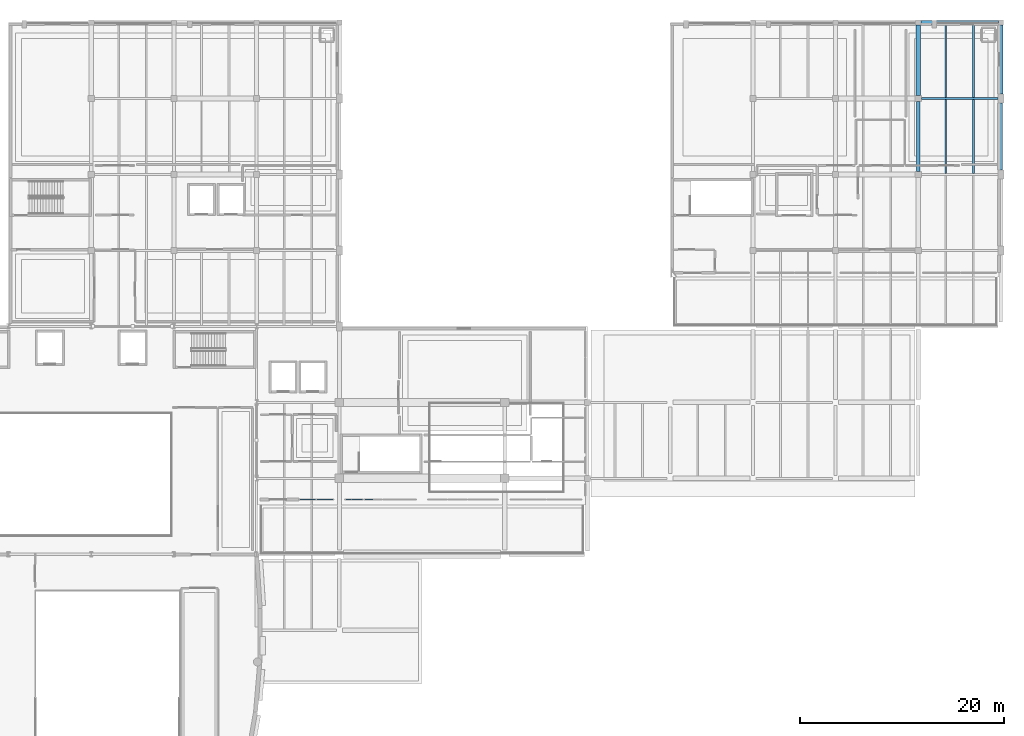
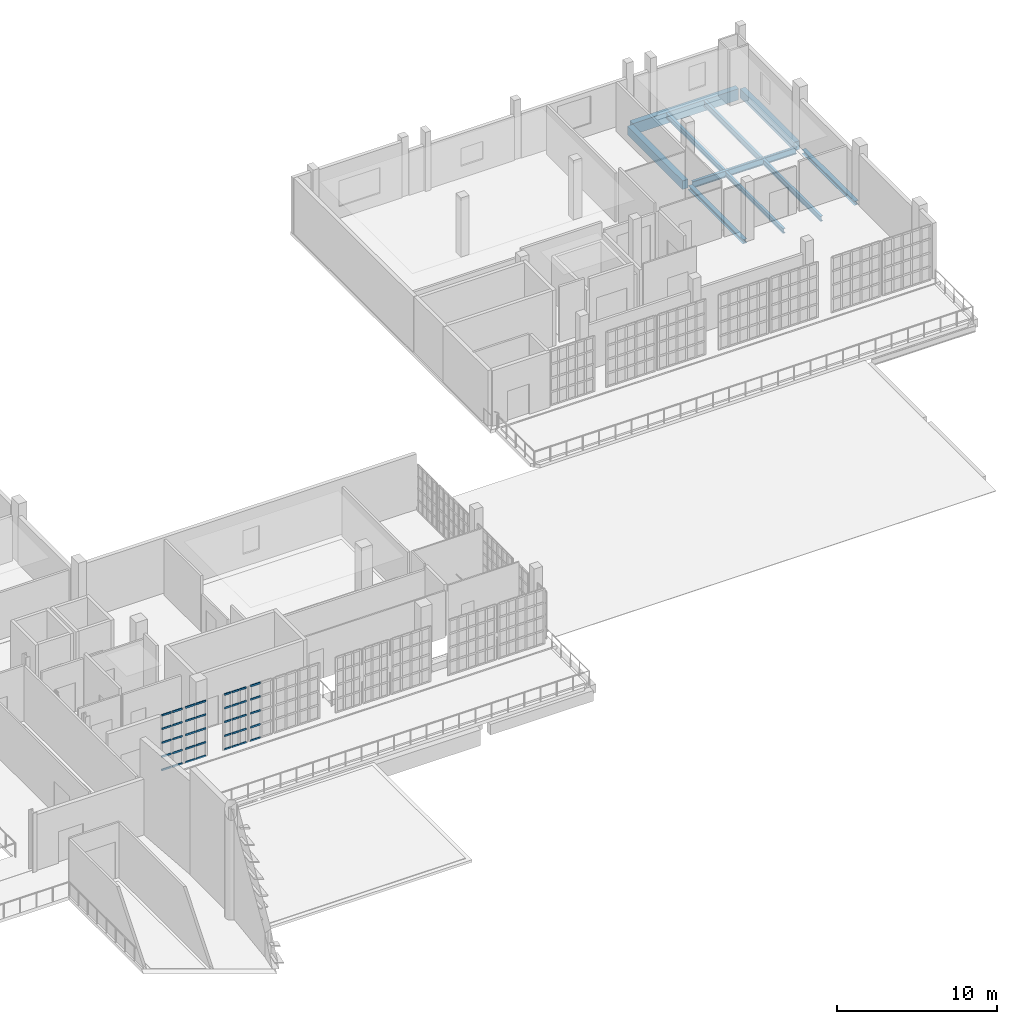
# One storey, part 25 of 56: 40 members, 10 beams, 4 elements without a shape of their own.
"""IFC4 building model written with IfcOpenShell, lengths in metres."""

from ifc_helpers import new_model, si_unit, direction, frame, origin, origin_2d, place, context, subcontext, project, spatial, rectangle, hollow_rectangle, i_section, extrude, material, material_profile, profile_set, type_object, element, aggregate, save


model = new_model("IFC4")

# Units and contexts
model_context = context("Model", 3, precision=1e-05, world=origin(), true_north=direction((0.0, 1.0)))
body_context = subcontext(model_context, "Body", "Model", "MODEL_VIEW")
ifc_project = project(units=[si_unit("LENGTHUNIT", "METRE"), si_unit("AREAUNIT", "SQUARE_METRE"), si_unit("VOLUMEUNIT", "CUBIC_METRE"), si_unit("PLANEANGLEUNIT", "RADIAN"), si_unit("MASSUNIT", "GRAM", prefix="KILO")], contexts=[model_context])

# Site, building, storey
site_placement = place(None, origin())
site = spatial("IfcSite", under=ifc_project, at=site_placement, CompositionType="ELEMENT")
building_placement = place(site_placement, origin())
building = spatial("IfcBuilding", under=site, at=building_placement, Name="Kaelora Sail Theatre", CompositionType="ELEMENT")
storey_placement = place(building_placement, frame((0.0, 0.0, 14.699951171875)))
storey = spatial("IfcBuildingStorey", under=building, at=storey_placement, Name="L03", CompositionType="ELEMENT", Elevation=14.699951171875)

# Curtain wall, members
ifc_material_1 = material(Name="Anodised aluminium and solar-control low-E IGU", Category="aluminium")
curtain_wall_type = type_object("IfcCurtainWallType", Name="ARC-CW-CW-BRG", PredefinedType="NOTDEFINED", material=ifc_material_1)
curtain_wall_1_placement = place(storey_placement, origin())
curtain_wall_1 = element("IfcCurtainWall", 1, at=curtain_wall_1_placement, inside=storey, type_object=curtain_wall_type, Name="Glazed Foyer/Conservatory Curtain Wall FC1-S-L03-01", PredefinedType="NOTDEFINED")
ifc_material_2 = material(Name="Anodised aluminium 6063-T6", Category="aluminium")
ifc_material_profile_1 = material_profile(ifc_material_2, hollow_rectangle(XDim=0.070068359375, YDim=0.139892578125, WallThickness=0.00390625, InnerFilletRadius=0.00390625, OuterFilletRadius=0.008056640625, at=origin_2d()), Name="ALU-TRAN 70x140x4")
ifc_profile_set_1 = profile_set([ifc_material_profile_1], Name="Anodised aluminium 6063-T6")
member_type = type_object("IfcMemberType", Name="ARC-MEM-TR-140", PredefinedType="USERDEFINED", material=ifc_profile_set_1)
member_1_placement = place(storey_placement, frame((62.4599609375, 66.389892578125, 0.03515625), z_axis=(1.0, 0.0, 0.0), x_axis=(0.0, 1.0, 0.0)))
member_1 = element("IfcMember", 2, at=member_1_placement, type_object=member_type, Name="CW-BRG transom 1.1", ObjectType="TRANSOM", PredefinedType="USERDEFINED", context=body_context, shape_type="SweptSolid", body=[
    extrude(hollow_rectangle(XDim=0.070068359375, YDim=0.139892578125, WallThickness=0.00390625, InnerFilletRadius=0.00390625, OuterFilletRadius=0.008056640625, at=origin_2d()), origin(), (0.0, 0.0, 1.0), 0.7099609375),
])
member_2_placement = place(storey_placement, frame((62.4599609375, 66.389892578125, 1.05615234375), z_axis=(1.0, 0.0, 0.0), x_axis=(0.0, 1.0, 0.0)))
member_2 = element("IfcMember", 3, at=member_2_placement, type_object=member_type, Name="CW-BRG transom 1.2", ObjectType="TRANSOM", PredefinedType="USERDEFINED", context=body_context, shape_type="SweptSolid", body=[
    extrude(hollow_rectangle(XDim=0.070068359375, YDim=0.139892578125, WallThickness=0.00390625, InnerFilletRadius=0.00390625, OuterFilletRadius=0.008056640625, at=origin_2d()), origin(), (0.0, 0.0, 1.0), 0.7099609375),
])
member_3_placement = place(storey_placement, frame((62.4599609375, 66.389892578125, 2.112548828125), z_axis=(1.0, 0.0, 0.0), x_axis=(0.0, 1.0, 0.0)))
member_3 = element("IfcMember", 4, at=member_3_placement, type_object=member_type, Name="CW-BRG transom 1.3", ObjectType="TRANSOM", PredefinedType="USERDEFINED", context=body_context, shape_type="SweptSolid", body=[
    extrude(hollow_rectangle(XDim=0.070068359375, YDim=0.139892578125, WallThickness=0.00390625, InnerFilletRadius=0.00390625, OuterFilletRadius=0.008056640625, at=origin_2d()), origin(), (0.0, 0.0, 1.0), 0.7099609375),
])
member_4_placement = place(storey_placement, frame((62.4599609375, 66.389892578125, 3.168701171875), z_axis=(1.0, 0.0, 0.0), x_axis=(0.0, 1.0, 0.0)))
member_4 = element("IfcMember", 5, at=member_4_placement, type_object=member_type, Name="CW-BRG transom 1.4", ObjectType="TRANSOM", PredefinedType="USERDEFINED", context=body_context, shape_type="SweptSolid", body=[
    extrude(hollow_rectangle(XDim=0.070068359375, YDim=0.139892578125, WallThickness=0.00390625, InnerFilletRadius=0.00390625, OuterFilletRadius=0.008056640625, at=origin_2d()), origin(), (0.0, 0.0, 1.0), 0.7099609375),
])
member_5_placement = place(storey_placement, frame((62.4599609375, 66.389892578125, 4.18994140625), z_axis=(1.0, 0.0, 0.0), x_axis=(0.0, 1.0, 0.0)))
member_5 = element("IfcMember", 6, at=member_5_placement, type_object=member_type, Name="CW-BRG transom 1.5", ObjectType="TRANSOM", PredefinedType="USERDEFINED", context=body_context, shape_type="SweptSolid", body=[
    extrude(hollow_rectangle(XDim=0.070068359375, YDim=0.139892578125, WallThickness=0.00390625, InnerFilletRadius=0.00390625, OuterFilletRadius=0.008056640625, at=origin_2d()), origin(), (0.0, 0.0, 1.0), 0.7099609375),
])
member_6_placement = place(storey_placement, frame((63.22998046875, 66.389892578125, 0.03515625), z_axis=(1.0, 0.0, 0.0), x_axis=(0.0, 1.0, 0.0)))
member_6 = element("IfcMember", 7, at=member_6_placement, type_object=member_type, Name="CW-BRG transom 2.1", ObjectType="TRANSOM", PredefinedType="USERDEFINED", context=body_context, shape_type="SweptSolid", body=[
    extrude(hollow_rectangle(XDim=0.070068359375, YDim=0.139892578125, WallThickness=0.00390625, InnerFilletRadius=0.00390625, OuterFilletRadius=0.008056640625, at=origin_2d()), origin(), (0.0, 0.0, 1.0), 0.7099609375),
])
member_7_placement = place(storey_placement, frame((63.22998046875, 66.389892578125, 1.05615234375), z_axis=(1.0, 0.0, 0.0), x_axis=(0.0, 1.0, 0.0)))
member_7 = element("IfcMember", 8, at=member_7_placement, type_object=member_type, Name="CW-BRG transom 2.2", ObjectType="TRANSOM", PredefinedType="USERDEFINED", context=body_context, shape_type="SweptSolid", body=[
    extrude(hollow_rectangle(XDim=0.070068359375, YDim=0.139892578125, WallThickness=0.00390625, InnerFilletRadius=0.00390625, OuterFilletRadius=0.008056640625, at=origin_2d()), origin(), (0.0, 0.0, 1.0), 0.7099609375),
])
member_8_placement = place(storey_placement, frame((63.22998046875, 66.389892578125, 2.112548828125), z_axis=(1.0, 0.0, 0.0), x_axis=(0.0, 1.0, 0.0)))
member_8 = element("IfcMember", 9, at=member_8_placement, type_object=member_type, Name="CW-BRG transom 2.3", ObjectType="TRANSOM", PredefinedType="USERDEFINED", context=body_context, shape_type="SweptSolid", body=[
    extrude(hollow_rectangle(XDim=0.070068359375, YDim=0.139892578125, WallThickness=0.00390625, InnerFilletRadius=0.00390625, OuterFilletRadius=0.008056640625, at=origin_2d()), origin(), (0.0, 0.0, 1.0), 0.7099609375),
])
member_9_placement = place(storey_placement, frame((63.22998046875, 66.389892578125, 3.168701171875), z_axis=(1.0, 0.0, 0.0), x_axis=(0.0, 1.0, 0.0)))
member_9 = element("IfcMember", 10, at=member_9_placement, type_object=member_type, Name="CW-BRG transom 2.4", ObjectType="TRANSOM", PredefinedType="USERDEFINED", context=body_context, shape_type="SweptSolid", body=[
    extrude(hollow_rectangle(XDim=0.070068359375, YDim=0.139892578125, WallThickness=0.00390625, InnerFilletRadius=0.00390625, OuterFilletRadius=0.008056640625, at=origin_2d()), origin(), (0.0, 0.0, 1.0), 0.7099609375),
])
member_10_placement = place(storey_placement, frame((63.22998046875, 66.389892578125, 4.18994140625), z_axis=(1.0, 0.0, 0.0), x_axis=(0.0, 1.0, 0.0)))
member_10 = element("IfcMember", 11, at=member_10_placement, type_object=member_type, Name="CW-BRG transom 2.5", ObjectType="TRANSOM", PredefinedType="USERDEFINED", context=body_context, shape_type="SweptSolid", body=[
    extrude(hollow_rectangle(XDim=0.070068359375, YDim=0.139892578125, WallThickness=0.00390625, InnerFilletRadius=0.00390625, OuterFilletRadius=0.008056640625, at=origin_2d()), origin(), (0.0, 0.0, 1.0), 0.7099609375),
])
aggregate(curtain_wall_1, [member_1, member_2, member_3, member_4, member_5, member_6, member_7, member_8, member_9, member_10])

curtain_wall_2_placement = place(storey_placement, origin())
curtain_wall_2 = element("IfcCurtainWall", 12, at=curtain_wall_2_placement, inside=storey, type_object=curtain_wall_type, Name="Glazed Foyer/Conservatory Curtain Wall FC1-S-L03-02", PredefinedType="NOTDEFINED")
member_11_placement = place(storey_placement, frame((64.159912109375, 66.389892578125, 0.03515625), z_axis=(1.0, 0.0, 0.0), x_axis=(0.0, 1.0, 0.0)))
member_11 = element("IfcMember", 13, at=member_11_placement, type_object=member_type, Name="CW-BRG transom 1.1", ObjectType="TRANSOM", PredefinedType="USERDEFINED", context=body_context, shape_type="SweptSolid", body=[
    extrude(hollow_rectangle(XDim=0.070068359375, YDim=0.139892578125, WallThickness=0.00390625, InnerFilletRadius=0.00390625, OuterFilletRadius=0.008056640625, at=origin_2d()), origin(), (0.0, 0.0, 1.0), 0.710205078125),
])
member_12_placement = place(storey_placement, frame((64.159912109375, 66.389892578125, 1.05615234375), z_axis=(1.0, 0.0, 0.0), x_axis=(0.0, 1.0, 0.0)))
member_12 = element("IfcMember", 14, at=member_12_placement, type_object=member_type, Name="CW-BRG transom 1.2", ObjectType="TRANSOM", PredefinedType="USERDEFINED", context=body_context, shape_type="SweptSolid", body=[
    extrude(hollow_rectangle(XDim=0.070068359375, YDim=0.139892578125, WallThickness=0.00390625, InnerFilletRadius=0.00390625, OuterFilletRadius=0.008056640625, at=origin_2d()), origin(), (0.0, 0.0, 1.0), 0.710205078125),
])
member_13_placement = place(storey_placement, frame((64.159912109375, 66.389892578125, 2.112548828125), z_axis=(1.0, 0.0, 0.0), x_axis=(0.0, 1.0, 0.0)))
member_13 = element("IfcMember", 15, at=member_13_placement, type_object=member_type, Name="CW-BRG transom 1.3", ObjectType="TRANSOM", PredefinedType="USERDEFINED", context=body_context, shape_type="SweptSolid", body=[
    extrude(hollow_rectangle(XDim=0.070068359375, YDim=0.139892578125, WallThickness=0.00390625, InnerFilletRadius=0.00390625, OuterFilletRadius=0.008056640625, at=origin_2d()), origin(), (0.0, 0.0, 1.0), 0.710205078125),
])
member_14_placement = place(storey_placement, frame((64.159912109375, 66.389892578125, 3.168701171875), z_axis=(1.0, 0.0, 0.0), x_axis=(0.0, 1.0, 0.0)))
member_14 = element("IfcMember", 16, at=member_14_placement, type_object=member_type, Name="CW-BRG transom 1.4", ObjectType="TRANSOM", PredefinedType="USERDEFINED", context=body_context, shape_type="SweptSolid", body=[
    extrude(hollow_rectangle(XDim=0.070068359375, YDim=0.139892578125, WallThickness=0.00390625, InnerFilletRadius=0.00390625, OuterFilletRadius=0.008056640625, at=origin_2d()), origin(), (0.0, 0.0, 1.0), 0.710205078125),
])
member_15_placement = place(storey_placement, frame((64.159912109375, 66.389892578125, 4.18994140625), z_axis=(1.0, 0.0, 0.0), x_axis=(0.0, 1.0, 0.0)))
member_15 = element("IfcMember", 17, at=member_15_placement, type_object=member_type, Name="CW-BRG transom 1.5", ObjectType="TRANSOM", PredefinedType="USERDEFINED", context=body_context, shape_type="SweptSolid", body=[
    extrude(hollow_rectangle(XDim=0.070068359375, YDim=0.139892578125, WallThickness=0.00390625, InnerFilletRadius=0.00390625, OuterFilletRadius=0.008056640625, at=origin_2d()), origin(), (0.0, 0.0, 1.0), 0.710205078125),
])
member_16_placement = place(storey_placement, frame((64.929931640625, 66.389892578125, 0.03515625), z_axis=(1.0, 0.0, 0.0), x_axis=(0.0, 1.0, 0.0)))
member_16 = element("IfcMember", 18, at=member_16_placement, type_object=member_type, Name="CW-BRG transom 2.1", ObjectType="TRANSOM", PredefinedType="USERDEFINED", context=body_context, shape_type="SweptSolid", body=[
    extrude(hollow_rectangle(XDim=0.070068359375, YDim=0.139892578125, WallThickness=0.00390625, InnerFilletRadius=0.00390625, OuterFilletRadius=0.008056640625, at=origin_2d()), origin(), (0.0, 0.0, 1.0), 0.7099609375),
])
member_17_placement = place(storey_placement, frame((64.929931640625, 66.389892578125, 1.05615234375), z_axis=(1.0, 0.0, 0.0), x_axis=(0.0, 1.0, 0.0)))
member_17 = element("IfcMember", 19, at=member_17_placement, type_object=member_type, Name="CW-BRG transom 2.2", ObjectType="TRANSOM", PredefinedType="USERDEFINED", context=body_context, shape_type="SweptSolid", body=[
    extrude(hollow_rectangle(XDim=0.070068359375, YDim=0.139892578125, WallThickness=0.00390625, InnerFilletRadius=0.00390625, OuterFilletRadius=0.008056640625, at=origin_2d()), origin(), (0.0, 0.0, 1.0), 0.7099609375),
])
member_18_placement = place(storey_placement, frame((64.929931640625, 66.389892578125, 2.112548828125), z_axis=(1.0, 0.0, 0.0), x_axis=(0.0, 1.0, 0.0)))
member_18 = element("IfcMember", 20, at=member_18_placement, type_object=member_type, Name="CW-BRG transom 2.3", ObjectType="TRANSOM", PredefinedType="USERDEFINED", context=body_context, shape_type="SweptSolid", body=[
    extrude(hollow_rectangle(XDim=0.070068359375, YDim=0.139892578125, WallThickness=0.00390625, InnerFilletRadius=0.00390625, OuterFilletRadius=0.008056640625, at=origin_2d()), origin(), (0.0, 0.0, 1.0), 0.7099609375),
])
member_19_placement = place(storey_placement, frame((64.929931640625, 66.389892578125, 3.168701171875), z_axis=(1.0, 0.0, 0.0), x_axis=(0.0, 1.0, 0.0)))
member_19 = element("IfcMember", 21, at=member_19_placement, type_object=member_type, Name="CW-BRG transom 2.4", ObjectType="TRANSOM", PredefinedType="USERDEFINED", context=body_context, shape_type="SweptSolid", body=[
    extrude(hollow_rectangle(XDim=0.070068359375, YDim=0.139892578125, WallThickness=0.00390625, InnerFilletRadius=0.00390625, OuterFilletRadius=0.008056640625, at=origin_2d()), origin(), (0.0, 0.0, 1.0), 0.7099609375),
])
member_20_placement = place(storey_placement, frame((64.929931640625, 66.389892578125, 4.18994140625), z_axis=(1.0, 0.0, 0.0), x_axis=(0.0, 1.0, 0.0)))
member_20 = element("IfcMember", 22, at=member_20_placement, type_object=member_type, Name="CW-BRG transom 2.5", ObjectType="TRANSOM", PredefinedType="USERDEFINED", context=body_context, shape_type="SweptSolid", body=[
    extrude(hollow_rectangle(XDim=0.070068359375, YDim=0.139892578125, WallThickness=0.00390625, InnerFilletRadius=0.00390625, OuterFilletRadius=0.008056640625, at=origin_2d()), origin(), (0.0, 0.0, 1.0), 0.7099609375),
])
aggregate(curtain_wall_2, [member_11, member_12, member_13, member_14, member_15, member_16, member_17, member_18, member_19, member_20])

curtain_wall_3_placement = place(storey_placement, origin())
curtain_wall_3 = element("IfcCurtainWall", 23, at=curtain_wall_3_placement, inside=storey, type_object=curtain_wall_type, Name="Glazed Foyer/Conservatory Curtain Wall FC1-S-L03-03", PredefinedType="NOTDEFINED")
member_21_placement = place(storey_placement, frame((66.9599609375, 66.389892578125, 0.03515625), z_axis=(1.0, 0.0, 0.0), x_axis=(0.0, 1.0, 0.0)))
member_21 = element("IfcMember", 24, at=member_21_placement, type_object=member_type, Name="CW-BRG transom 1.1", ObjectType="TRANSOM", PredefinedType="USERDEFINED", context=body_context, shape_type="SweptSolid", body=[
    extrude(hollow_rectangle(XDim=0.070068359375, YDim=0.139892578125, WallThickness=0.00390625, InnerFilletRadius=0.00390625, OuterFilletRadius=0.008056640625, at=origin_2d()), origin(), (0.0, 0.0, 1.0), 0.476806640625),
])
member_22_placement = place(storey_placement, frame((66.9599609375, 66.389892578125, 1.05615234375), z_axis=(1.0, 0.0, 0.0), x_axis=(0.0, 1.0, 0.0)))
member_22 = element("IfcMember", 25, at=member_22_placement, type_object=member_type, Name="CW-BRG transom 1.2", ObjectType="TRANSOM", PredefinedType="USERDEFINED", context=body_context, shape_type="SweptSolid", body=[
    extrude(hollow_rectangle(XDim=0.070068359375, YDim=0.139892578125, WallThickness=0.00390625, InnerFilletRadius=0.00390625, OuterFilletRadius=0.008056640625, at=origin_2d()), origin(), (0.0, 0.0, 1.0), 0.476806640625),
])
member_23_placement = place(storey_placement, frame((66.9599609375, 66.389892578125, 2.112548828125), z_axis=(1.0, 0.0, 0.0), x_axis=(0.0, 1.0, 0.0)))
member_23 = element("IfcMember", 26, at=member_23_placement, type_object=member_type, Name="CW-BRG transom 1.3", ObjectType="TRANSOM", PredefinedType="USERDEFINED", context=body_context, shape_type="SweptSolid", body=[
    extrude(hollow_rectangle(XDim=0.070068359375, YDim=0.139892578125, WallThickness=0.00390625, InnerFilletRadius=0.00390625, OuterFilletRadius=0.008056640625, at=origin_2d()), origin(), (0.0, 0.0, 1.0), 0.476806640625),
])
member_24_placement = place(storey_placement, frame((66.9599609375, 66.389892578125, 3.168701171875), z_axis=(1.0, 0.0, 0.0), x_axis=(0.0, 1.0, 0.0)))
member_24 = element("IfcMember", 27, at=member_24_placement, type_object=member_type, Name="CW-BRG transom 1.4", ObjectType="TRANSOM", PredefinedType="USERDEFINED", context=body_context, shape_type="SweptSolid", body=[
    extrude(hollow_rectangle(XDim=0.070068359375, YDim=0.139892578125, WallThickness=0.00390625, InnerFilletRadius=0.00390625, OuterFilletRadius=0.008056640625, at=origin_2d()), origin(), (0.0, 0.0, 1.0), 0.476806640625),
])
member_25_placement = place(storey_placement, frame((66.9599609375, 66.389892578125, 4.18994140625), z_axis=(1.0, 0.0, 0.0), x_axis=(0.0, 1.0, 0.0)))
member_25 = element("IfcMember", 28, at=member_25_placement, type_object=member_type, Name="CW-BRG transom 1.5", ObjectType="TRANSOM", PredefinedType="USERDEFINED", context=body_context, shape_type="SweptSolid", body=[
    extrude(hollow_rectangle(XDim=0.070068359375, YDim=0.139892578125, WallThickness=0.00390625, InnerFilletRadius=0.00390625, OuterFilletRadius=0.008056640625, at=origin_2d()), origin(), (0.0, 0.0, 1.0), 0.476806640625),
])
member_26_placement = place(storey_placement, frame((67.49658203125, 66.389892578125, 0.03515625), z_axis=(1.0, 0.0, 0.0), x_axis=(0.0, 1.0, 0.0)))
member_26 = element("IfcMember", 29, at=member_26_placement, type_object=member_type, Name="CW-BRG transom 2.1", ObjectType="TRANSOM", PredefinedType="USERDEFINED", context=body_context, shape_type="SweptSolid", body=[
    extrude(hollow_rectangle(XDim=0.070068359375, YDim=0.139892578125, WallThickness=0.00390625, InnerFilletRadius=0.00390625, OuterFilletRadius=0.008056640625, at=origin_2d()), origin(), (0.0, 0.0, 1.0), 0.5068359375),
])
member_27_placement = place(storey_placement, frame((67.49658203125, 66.389892578125, 1.05615234375), z_axis=(1.0, 0.0, 0.0), x_axis=(0.0, 1.0, 0.0)))
member_27 = element("IfcMember", 30, at=member_27_placement, type_object=member_type, Name="CW-BRG transom 2.2", ObjectType="TRANSOM", PredefinedType="USERDEFINED", context=body_context, shape_type="SweptSolid", body=[
    extrude(hollow_rectangle(XDim=0.070068359375, YDim=0.139892578125, WallThickness=0.00390625, InnerFilletRadius=0.00390625, OuterFilletRadius=0.008056640625, at=origin_2d()), origin(), (0.0, 0.0, 1.0), 0.5068359375),
])
member_28_placement = place(storey_placement, frame((67.49658203125, 66.389892578125, 2.112548828125), z_axis=(1.0, 0.0, 0.0), x_axis=(0.0, 1.0, 0.0)))
member_28 = element("IfcMember", 31, at=member_28_placement, type_object=member_type, Name="CW-BRG transom 2.3", ObjectType="TRANSOM", PredefinedType="USERDEFINED", context=body_context, shape_type="SweptSolid", body=[
    extrude(hollow_rectangle(XDim=0.070068359375, YDim=0.139892578125, WallThickness=0.00390625, InnerFilletRadius=0.00390625, OuterFilletRadius=0.008056640625, at=origin_2d()), origin(), (0.0, 0.0, 1.0), 0.5068359375),
])
member_29_placement = place(storey_placement, frame((67.49658203125, 66.389892578125, 3.168701171875), z_axis=(1.0, 0.0, 0.0), x_axis=(0.0, 1.0, 0.0)))
member_29 = element("IfcMember", 32, at=member_29_placement, type_object=member_type, Name="CW-BRG transom 2.4", ObjectType="TRANSOM", PredefinedType="USERDEFINED", context=body_context, shape_type="SweptSolid", body=[
    extrude(hollow_rectangle(XDim=0.070068359375, YDim=0.139892578125, WallThickness=0.00390625, InnerFilletRadius=0.00390625, OuterFilletRadius=0.008056640625, at=origin_2d()), origin(), (0.0, 0.0, 1.0), 0.5068359375),
])
member_30_placement = place(storey_placement, frame((67.49658203125, 66.389892578125, 4.18994140625), z_axis=(1.0, 0.0, 0.0), x_axis=(0.0, 1.0, 0.0)))
member_30 = element("IfcMember", 33, at=member_30_placement, type_object=member_type, Name="CW-BRG transom 2.5", ObjectType="TRANSOM", PredefinedType="USERDEFINED", context=body_context, shape_type="SweptSolid", body=[
    extrude(hollow_rectangle(XDim=0.070068359375, YDim=0.139892578125, WallThickness=0.00390625, InnerFilletRadius=0.00390625, OuterFilletRadius=0.008056640625, at=origin_2d()), origin(), (0.0, 0.0, 1.0), 0.5068359375),
])
member_31_placement = place(storey_placement, frame((68.063232421875, 66.389892578125, 0.03515625), z_axis=(1.0, 0.0, 0.0), x_axis=(0.0, 1.0, 0.0)))
member_31 = element("IfcMember", 34, at=member_31_placement, type_object=member_type, Name="CW-BRG transom 3.1", ObjectType="TRANSOM", PredefinedType="USERDEFINED", context=body_context, shape_type="SweptSolid", body=[
    extrude(hollow_rectangle(XDim=0.070068359375, YDim=0.139892578125, WallThickness=0.00390625, InnerFilletRadius=0.00390625, OuterFilletRadius=0.008056640625, at=origin_2d()), origin(), (0.0, 0.0, 1.0), 0.476806640625),
])
member_32_placement = place(storey_placement, frame((68.063232421875, 66.389892578125, 1.05615234375), z_axis=(1.0, 0.0, 0.0), x_axis=(0.0, 1.0, 0.0)))
member_32 = element("IfcMember", 35, at=member_32_placement, type_object=member_type, Name="CW-BRG transom 3.2", ObjectType="TRANSOM", PredefinedType="USERDEFINED", context=body_context, shape_type="SweptSolid", body=[
    extrude(hollow_rectangle(XDim=0.070068359375, YDim=0.139892578125, WallThickness=0.00390625, InnerFilletRadius=0.00390625, OuterFilletRadius=0.008056640625, at=origin_2d()), origin(), (0.0, 0.0, 1.0), 0.476806640625),
])
member_33_placement = place(storey_placement, frame((68.063232421875, 66.389892578125, 2.112548828125), z_axis=(1.0, 0.0, 0.0), x_axis=(0.0, 1.0, 0.0)))
member_33 = element("IfcMember", 36, at=member_33_placement, type_object=member_type, Name="CW-BRG transom 3.3", ObjectType="TRANSOM", PredefinedType="USERDEFINED", context=body_context, shape_type="SweptSolid", body=[
    extrude(hollow_rectangle(XDim=0.070068359375, YDim=0.139892578125, WallThickness=0.00390625, InnerFilletRadius=0.00390625, OuterFilletRadius=0.008056640625, at=origin_2d()), origin(), (0.0, 0.0, 1.0), 0.476806640625),
])
member_34_placement = place(storey_placement, frame((68.063232421875, 66.389892578125, 3.168701171875), z_axis=(1.0, 0.0, 0.0), x_axis=(0.0, 1.0, 0.0)))
member_34 = element("IfcMember", 37, at=member_34_placement, type_object=member_type, Name="CW-BRG transom 3.4", ObjectType="TRANSOM", PredefinedType="USERDEFINED", context=body_context, shape_type="SweptSolid", body=[
    extrude(hollow_rectangle(XDim=0.070068359375, YDim=0.139892578125, WallThickness=0.00390625, InnerFilletRadius=0.00390625, OuterFilletRadius=0.008056640625, at=origin_2d()), origin(), (0.0, 0.0, 1.0), 0.476806640625),
])
member_35_placement = place(storey_placement, frame((68.063232421875, 66.389892578125, 4.18994140625), z_axis=(1.0, 0.0, 0.0), x_axis=(0.0, 1.0, 0.0)))
member_35 = element("IfcMember", 38, at=member_35_placement, type_object=member_type, Name="CW-BRG transom 3.5", ObjectType="TRANSOM", PredefinedType="USERDEFINED", context=body_context, shape_type="SweptSolid", body=[
    extrude(hollow_rectangle(XDim=0.070068359375, YDim=0.139892578125, WallThickness=0.00390625, InnerFilletRadius=0.00390625, OuterFilletRadius=0.008056640625, at=origin_2d()), origin(), (0.0, 0.0, 1.0), 0.476806640625),
])
aggregate(curtain_wall_3, [member_21, member_22, member_23, member_24, member_25, member_26, member_27, member_28, member_29, member_30, member_31, member_32, member_33, member_34, member_35])

curtain_wall_4_placement = place(storey_placement, origin())
curtain_wall_4 = element("IfcCurtainWall", 39, at=curtain_wall_4_placement, inside=storey, type_object=curtain_wall_type, Name="Glazed Foyer/Conservatory Curtain Wall FC1-S-L03-04", PredefinedType="NOTDEFINED")
member_36_placement = place(storey_placement, frame((68.860107421875, 66.389892578125, 0.03515625), z_axis=(1.0, 0.0, 0.0), x_axis=(0.0, 1.0, 0.0)))
member_36 = element("IfcMember", 40, at=member_36_placement, type_object=member_type, Name="CW-BRG transom 1.1", ObjectType="TRANSOM", PredefinedType="USERDEFINED", context=body_context, shape_type="SweptSolid", body=[
    extrude(hollow_rectangle(XDim=0.070068359375, YDim=0.139892578125, WallThickness=0.00390625, InnerFilletRadius=0.00390625, OuterFilletRadius=0.008056640625, at=origin_2d()), origin(), (0.0, 0.0, 1.0), 0.7099609375),
])
member_37_placement = place(storey_placement, frame((68.860107421875, 66.389892578125, 1.05615234375), z_axis=(1.0, 0.0, 0.0), x_axis=(0.0, 1.0, 0.0)))
member_37 = element("IfcMember", 41, at=member_37_placement, type_object=member_type, Name="CW-BRG transom 1.2", ObjectType="TRANSOM", PredefinedType="USERDEFINED", context=body_context, shape_type="SweptSolid", body=[
    extrude(hollow_rectangle(XDim=0.070068359375, YDim=0.139892578125, WallThickness=0.00390625, InnerFilletRadius=0.00390625, OuterFilletRadius=0.008056640625, at=origin_2d()), origin(), (0.0, 0.0, 1.0), 0.7099609375),
])
member_38_placement = place(storey_placement, frame((68.860107421875, 66.389892578125, 2.112548828125), z_axis=(1.0, 0.0, 0.0), x_axis=(0.0, 1.0, 0.0)))
member_38 = element("IfcMember", 42, at=member_38_placement, type_object=member_type, Name="CW-BRG transom 1.3", ObjectType="TRANSOM", PredefinedType="USERDEFINED", context=body_context, shape_type="SweptSolid", body=[
    extrude(hollow_rectangle(XDim=0.070068359375, YDim=0.139892578125, WallThickness=0.00390625, InnerFilletRadius=0.00390625, OuterFilletRadius=0.008056640625, at=origin_2d()), origin(), (0.0, 0.0, 1.0), 0.7099609375),
])
member_39_placement = place(storey_placement, frame((68.860107421875, 66.389892578125, 3.168701171875), z_axis=(1.0, 0.0, 0.0), x_axis=(0.0, 1.0, 0.0)))
member_39 = element("IfcMember", 43, at=member_39_placement, type_object=member_type, Name="CW-BRG transom 1.4", ObjectType="TRANSOM", PredefinedType="USERDEFINED", context=body_context, shape_type="SweptSolid", body=[
    extrude(hollow_rectangle(XDim=0.070068359375, YDim=0.139892578125, WallThickness=0.00390625, InnerFilletRadius=0.00390625, OuterFilletRadius=0.008056640625, at=origin_2d()), origin(), (0.0, 0.0, 1.0), 0.7099609375),
])
member_40_placement = place(storey_placement, frame((68.860107421875, 66.389892578125, 4.18994140625), z_axis=(1.0, 0.0, 0.0), x_axis=(0.0, 1.0, 0.0)))
member_40 = element("IfcMember", 44, at=member_40_placement, type_object=member_type, Name="CW-BRG transom 1.5", ObjectType="TRANSOM", PredefinedType="USERDEFINED", context=body_context, shape_type="SweptSolid", body=[
    extrude(hollow_rectangle(XDim=0.070068359375, YDim=0.139892578125, WallThickness=0.00390625, InnerFilletRadius=0.00390625, OuterFilletRadius=0.008056640625, at=origin_2d()), origin(), (0.0, 0.0, 1.0), 0.7099609375),
])
aggregate(curtain_wall_4, [member_36, member_37, member_38, member_39, member_40])

# Beams
ifc_material_3 = material(Name="Steel S355", Category="steel")
ifc_material_profile_2 = material_profile(ifc_material_3, i_section(OverallWidth=0.300048828125, OverallDepth=0.31005859375, WebThickness=0.009033203125, FlangeThickness=0.015380859375, FilletRadius=0.027099609375, at=origin_2d()), Name="HEA 320")
ifc_profile_set_2 = profile_set([ifc_material_profile_2], Name="Steel S355")
beam_type_1 = type_object("IfcBeamType", Name="STR-BM-BM-HEA320", PredefinedType="BEAM", material=ifc_profile_set_2)
beam_1_placement = place(storey_placement, frame((123.0, 98.52001953125, -0.429931640625), z_axis=(0.0, 1.0, 0.0), x_axis=(-1.0, 0.0, 0.0)))
element("IfcBeam", 45, at=beam_1_placement, inside=storey, type_object=beam_type_1, Name="Primary beam 16 N-O (L03)", PredefinedType="BEAM", context=body_context, shape_type="SweptSolid", body=[
    extrude(i_section(OverallWidth=0.300048828125, OverallDepth=0.31005859375, WebThickness=0.009033203125, FlangeThickness=0.015380859375, FilletRadius=0.027099609375, at=origin_2d()), origin(), (0.0, 0.0, 1.0), 6.840087890625),
])
beam_2_placement = place(storey_placement, frame((131.10009765625, 98.669921875, -0.429931640625), z_axis=(0.0, 1.0, 0.0), x_axis=(-1.0, 0.0, 0.0)))
element("IfcBeam", 46, at=beam_2_placement, inside=storey, type_object=beam_type_1, Name="Primary beam 17 N-O (L03)", PredefinedType="BEAM", context=body_context, shape_type="SweptSolid", body=[
    extrude(i_section(OverallWidth=0.300048828125, OverallDepth=0.31005859375, WebThickness=0.009033203125, FlangeThickness=0.015380859375, FilletRadius=0.027099609375, at=origin_2d()), origin(), (0.0, 0.0, 1.0), 6.5400390625),
])
ifc_material_4 = material(Name="Steel S355", Category="steel")
ifc_material_profile_3 = material_profile(ifc_material_4, i_section(OverallWidth=0.18994140625, OverallDepth=0.449951171875, WebThickness=0.009521484375, FlangeThickness=0.0146484375, FilletRadius=0.02099609375, at=origin_2d()), Name="IPE 450")
ifc_profile_set_3 = profile_set([ifc_material_profile_3], Name="Steel S355")
beam_type_2 = type_object("IfcBeamType", Name="STR-BM-BM-IPE450", PredefinedType="BEAM", material=ifc_profile_set_3)
beam_3_placement = place(storey_placement, frame((128.39990234375, 105.760009765625, -0.5), z_axis=(0.0, 1.0, 0.0), x_axis=(-1.0, 0.0, 0.0)))
element("IfcBeam", 47, at=beam_3_placement, inside=storey, type_object=beam_type_2, Name="Secondary floor joist 16/O-2 (L03)", PredefinedType="BEAM", context=body_context, shape_type="SweptSolid", body=[
    extrude(i_section(OverallWidth=0.18994140625, OverallDepth=0.449951171875, WebThickness=0.009521484375, FlangeThickness=0.0146484375, FilletRadius=0.02099609375, at=origin_2d()), origin(), (0.0, 0.0, 1.0), 7.139892578125),
])
ifc_material_5 = material(Name="Steel S355", Category="steel")
ifc_material_profile_4 = material_profile(ifc_material_5, i_section(OverallWidth=0.199951171875, OverallDepth=0.5, WebThickness=0.01025390625, FlangeThickness=0.01611328125, FilletRadius=0.02099609375, at=origin_2d()), Name="IPE 500")
ifc_profile_set_4 = profile_set([ifc_material_profile_4], Name="Steel S355")
beam_type_3 = type_object("IfcBeamType", Name="STR-BM-BM-IPE500", PredefinedType="BEAM", material=ifc_profile_set_4)
beam_4_placement = place(storey_placement, frame((123.300048828125, 105.659912109375, -0.52490234375), z_axis=(1.0, 0.0, 0.0), x_axis=(0.0, 1.0, 0.0)))
element("IfcBeam", 48, at=beam_4_placement, inside=storey, type_object=beam_type_3, Name="Primary beam O 16-17 (L03)", PredefinedType="BEAM", context=body_context, shape_type="SweptSolid", body=[
    extrude(i_section(OverallWidth=0.199951171875, OverallDepth=0.5, WebThickness=0.01025390625, FlangeThickness=0.01611328125, FilletRadius=0.02099609375, at=origin_2d()), origin(), (0.0, 0.0, 1.0), 7.5),
])
ifc_material_6 = material(Name="Concrete C40/50", Category="concrete")
ifc_material_profile_5 = material_profile(ifc_material_6, rectangle(XDim=0.39990234375, YDim=0.64990234375, at=origin_2d()), Name="RC-BM 400x650")
ifc_profile_set_5 = profile_set([ifc_material_profile_5], Name="Concrete C40/50")
beam_type_4 = type_object("IfcBeamType", Name="STR-BM-BM-RC4065", PredefinedType="BEAM", material=ifc_profile_set_5)
beam_5_placement = place(storey_placement, frame((123.0, 105.9599609375, -0.599853515625), z_axis=(0.0, 1.0, 0.0), x_axis=(-1.0, 0.0, 0.0)))
element("IfcBeam", 49, at=beam_5_placement, inside=storey, type_object=beam_type_4, Name="Primary beam 16 O-P (L03)", PredefinedType="BEAM", context=body_context, shape_type="SweptSolid", body=[
    extrude(rectangle(XDim=0.39990234375, YDim=0.64990234375, at=origin_2d()), origin(), (0.0, 0.0, 1.0), 6.89013671875),
])
beam_6_placement = place(storey_placement, frame((131.10009765625, 106.110107421875, -0.599853515625), z_axis=(0.0, 1.0, 0.0), x_axis=(-1.0, 0.0, 0.0)))
element("IfcBeam", 50, at=beam_6_placement, inside=storey, type_object=beam_type_4, Name="Primary beam 17 O-P (L03)", PredefinedType="BEAM", context=body_context, shape_type="SweptSolid", body=[
    extrude(rectangle(XDim=0.39990234375, YDim=0.64990234375, at=origin_2d()), origin(), (0.0, 0.0, 1.0), 6.739990234375),
])
ifc_material_7 = material(Name="Steel S355", Category="steel")
ifc_material_profile_6 = material_profile(ifc_material_7, i_section(OverallWidth=0.169921875, OverallDepth=0.360107421875, WebThickness=0.008056640625, FlangeThickness=0.0126953125, FilletRadius=0.01806640625, at=origin_2d()), Name="IPE 360")
ifc_profile_set_6 = profile_set([ifc_material_profile_6], Name="Steel S355")
beam_type_5 = type_object("IfcBeamType", Name="STR-BM-JS-IPE360", PredefinedType="JOIST", material=ifc_profile_set_6)
beam_7_placement = place(storey_placement, frame((125.699951171875, 98.320068359375, -0.454833984375), z_axis=(0.0, 1.0, 0.0), x_axis=(-1.0, 0.0, 0.0)))
element("IfcBeam", 51, at=beam_7_placement, inside=storey, type_object=beam_type_5, Name="Secondary floor joist 16/N-1 (L03)", PredefinedType="JOIST", context=body_context, shape_type="SweptSolid", body=[
    extrude(i_section(OverallWidth=0.169921875, OverallDepth=0.360107421875, WebThickness=0.008056640625, FlangeThickness=0.0126953125, FilletRadius=0.01806640625, at=origin_2d()), origin(), (0.0, 0.0, 1.0), 7.239990234375),
])
ifc_material_8 = material(Name="Steel S355", Category="steel")
ifc_material_profile_7 = material_profile(ifc_material_8, i_section(OverallWidth=0.179931640625, OverallDepth=0.39990234375, WebThickness=0.008544921875, FlangeThickness=0.013427734375, FilletRadius=0.02099609375, at=origin_2d()), Name="IPE 400")
ifc_profile_set_7 = profile_set([ifc_material_profile_7], Name="Steel S355")
beam_type_6 = type_object("IfcBeamType", Name="STR-BM-JS-IPE400", PredefinedType="JOIST", material=ifc_profile_set_7)
beam_8_placement = place(storey_placement, frame((128.39990234375, 98.320068359375, -0.474853515625), z_axis=(0.0, 1.0, 0.0), x_axis=(-1.0, 0.0, 0.0)))
element("IfcBeam", 52, at=beam_8_placement, inside=storey, type_object=beam_type_6, Name="Secondary floor joist 16/N-2 (L03)", PredefinedType="JOIST", context=body_context, shape_type="SweptSolid", body=[
    extrude(i_section(OverallWidth=0.179931640625, OverallDepth=0.39990234375, WebThickness=0.008544921875, FlangeThickness=0.013427734375, FilletRadius=0.02099609375, at=origin_2d()), origin(), (0.0, 0.0, 1.0), 7.239990234375),
])
beam_9_placement = place(storey_placement, frame((125.699951171875, 105.760009765625, -0.474853515625), z_axis=(0.0, 1.0, 0.0), x_axis=(-1.0, 0.0, 0.0)))
element("IfcBeam", 53, at=beam_9_placement, inside=storey, type_object=beam_type_6, Name="Secondary floor joist 16/O-1 (L03)", PredefinedType="JOIST", context=body_context, shape_type="SweptSolid", body=[
    extrude(i_section(OverallWidth=0.179931640625, OverallDepth=0.39990234375, WebThickness=0.008544921875, FlangeThickness=0.013427734375, FilletRadius=0.02099609375, at=origin_2d()), origin(), (0.0, 0.0, 1.0), 7.139892578125),
])
ifc_material_9 = material(Name="Concrete C45/55", Category="concrete")
ifc_material_profile_8 = material_profile(ifc_material_9, rectangle(XDim=0.39990234375, YDim=0.85009765625, at=origin_2d()), Name="RC-SPN 400x850")
ifc_profile_set_8 = profile_set([ifc_material_profile_8], Name="Concrete C45/55")
beam_type_7 = type_object("IfcBeamType", Name="STR-BM-SP-RC4085", PredefinedType="SPANDREL", material=ifc_profile_set_8)
beam_10_placement = place(storey_placement, frame((123.25, 113.10009765625, -0.699951171875), z_axis=(1.0, 0.0, 0.0), x_axis=(0.0, 1.0, 0.0)))
element("IfcBeam", 54, at=beam_10_placement, inside=storey, type_object=beam_type_7, Name="Primary beam P 16-17 (L03)", PredefinedType="SPANDREL", context=body_context, shape_type="SweptSolid", body=[
    extrude(rectangle(XDim=0.39990234375, YDim=0.85009765625, at=origin_2d()), origin(), (0.0, 0.0, 1.0), 7.60009765625),
])

save(model, "model.ifc")
